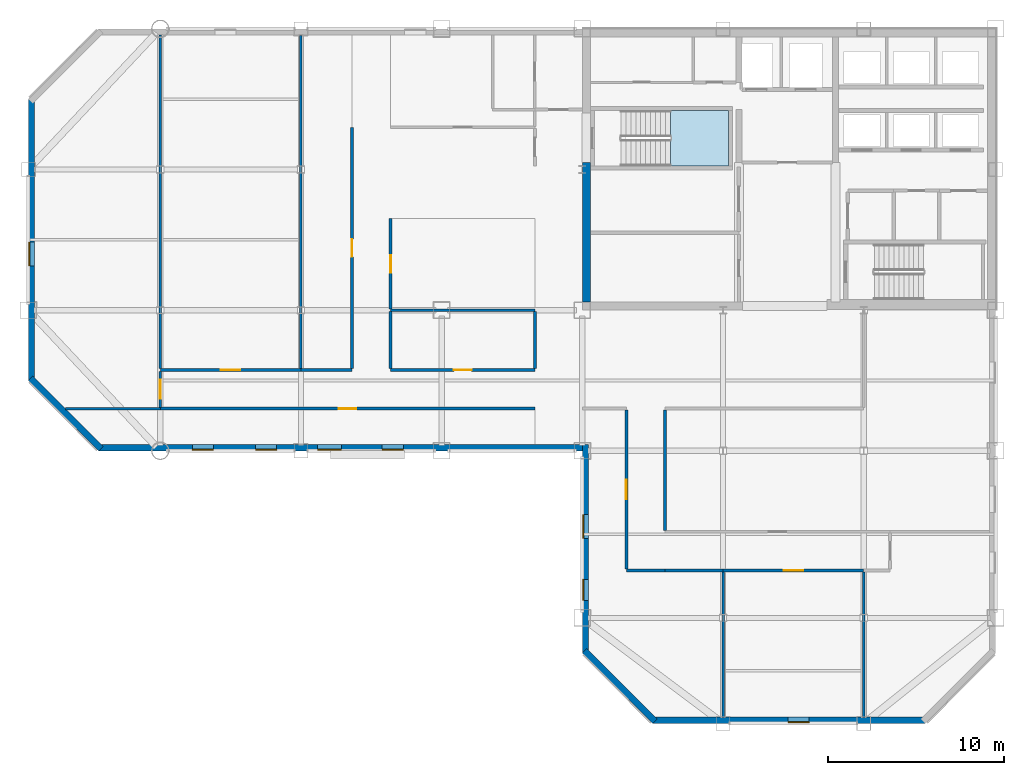
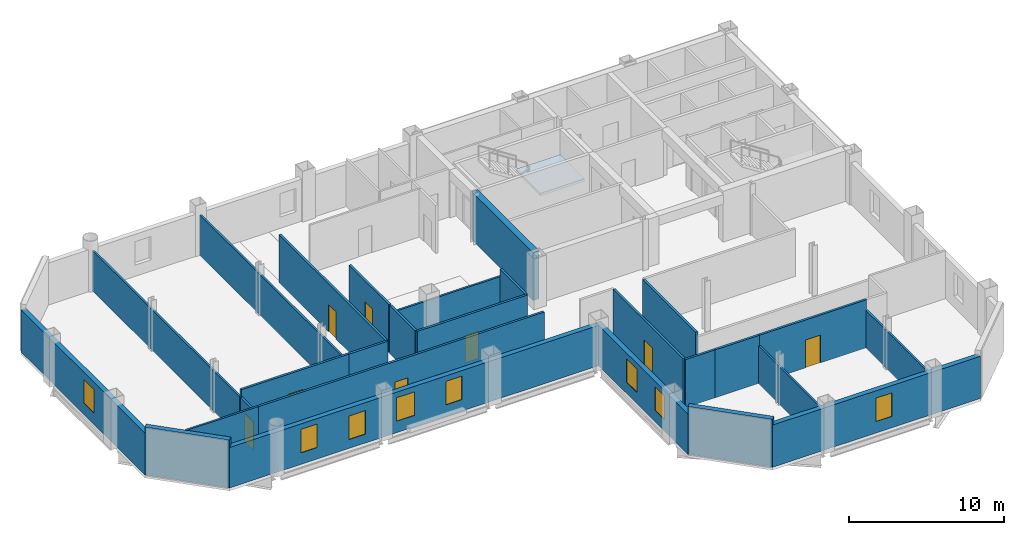
# One storey, part 4 of 10: 27 walls, 8 doors, 8 windows, 1 slab, 16 openings, 1 element without a shape of its own.
"""IFC4 building model written with IfcOpenShell, lengths in metres."""

from ifc_helpers import new_model, si_unit, direction, frame, frame_2d, origin, place, context, subcontext, project, spatial, polyline, rectangle, outline, extrude, material, layer, layer_set, type_object, element, fill, aggregate, save


model = new_model("IFC4")

# Units and contexts
model_context = context("Model", 3, precision=1e-05, world=origin(), true_north=direction((0.0, 1.0)))
body_context = subcontext(model_context, "Body", "Model", "MODEL_VIEW")
ifc_project = project(units=[si_unit("LENGTHUNIT", "METRE"), si_unit("AREAUNIT", "SQUARE_METRE"), si_unit("VOLUMEUNIT", "CUBIC_METRE"), si_unit("PLANEANGLEUNIT", "RADIAN"), si_unit("MASSUNIT", "GRAM", prefix="KILO")], contexts=[model_context])

# Site, building, storey
site_placement = place(None, origin())
site = spatial("IfcSite", under=ifc_project, at=site_placement, CompositionType="ELEMENT")
building_placement = place(site_placement, origin())
building = spatial("IfcBuilding", under=site, at=building_placement, Name="Qianrong Seaharbour Tower", CompositionType="ELEMENT")
storey_placement = place(building_placement, frame((0.0, 0.0, 225.800048828125)))
storey = spatial("IfcBuildingStorey", under=building, at=storey_placement, Name="L54", CompositionType="ELEMENT", Elevation=225.800048828125)

# Stair, slab
ifc_material_1 = material(Name="Concrete C50/60", Category="concrete")
stair_type = type_object("IfcStairType", Name="STAIR-DOGLEG-1500-R22", PredefinedType="HALF_TURN_STAIR", material=ifc_material_1)
stair_placement = place(storey_placement, origin())
stair = element("IfcStair", 1, at=stair_placement, inside=storey, type_object=stair_type, Name="L54 Protected Escape Stair ST-1", PredefinedType="HALF_TURN_STAIR")
ifc_layer_1 = layer(ifc_material_1, 0.199951171875)
ifc_layer_set_1 = layer_set([ifc_layer_1], Name="Concrete C50/60")
slab_type = type_object("IfcSlabType", Name="SLAB-STAIR-LANDING-200", PredefinedType="LANDING", material=ifc_layer_set_1)
slab_placement = place(storey_placement, frame((0.0, 0.0, 1.800048828125)))
slab = element("IfcSlab", 2, at=slab_placement, type_object=slab_type, Name="ST-1 landing 1", PredefinedType="LANDING", context=body_context, shape_type="SweptSolid", body=[
    extrude(outline(polyline([(45.5, 44.199951171875), (48.800048828125, 44.199951171875), (48.800048828125, 47.35009765625), (45.5, 47.35009765625), (45.5, 44.199951171875)])), origin(), (0.0, 0.0, 1.0), 0.199951171875),
])
aggregate(stair, [slab])

# Wall
ifc_material_2 = material(Name="Concrete C60/75", Category="concrete")
ifc_layer_2 = layer(ifc_material_2, 0.4599609375)
ifc_layer_set_2 = layer_set([ifc_layer_2], Name="Concrete C60/75")
wall_type_1 = type_object("IfcWallType", Name="WALL-CORE-460", PredefinedType="SHEAR", material=ifc_layer_set_2)
wall_1_placement = place(storey_placement, frame((40.72998046875, 36.4599609375, 0.0), z_axis=(0.0, 0.0, 1.0), x_axis=(0.0, 1.0, 0.0)))
element("IfcWall", 3, at=wall_1_placement, inside=storey, type_object=wall_type_1, Name="L54 West Core Shear Wall South", PredefinedType="SHEAR", context=body_context, shape_type="SweptSolid", body=[
    extrude(rectangle(XDim=7.93994140625, YDim=0.4599609375, at=frame_2d((3.969970703125, 0.0))), origin(), (0.0, 0.0, 1.0), 3.77490234375),
])

# Wall, opening, door
ifc_material_3 = material(Name="Fire-rated acoustic gypsum board partition")
ifc_layer_3 = layer(ifc_material_3, 0.1650390625)
ifc_layer_set_3 = layer_set([ifc_layer_3], Name="Fire-rated acoustic gypsum board partition")
wall_type_2 = type_object("IfcWallType", Name="WALL-CORR-PART-165", PredefinedType="PARTITIONING", material=ifc_layer_set_3)
wall_2_placement = place(storey_placement, frame((37.800048828125, 30.39990234375, 0.0), z_axis=(0.0, 0.0, 1.0), x_axis=(-1.0, 0.0, 0.0)))
wall_2 = element("IfcWall", 4, at=wall_2_placement, inside=storey, type_object=wall_type_2, Name="L54 Interior Partition Wall 020", PredefinedType="PARTITIONING", context=body_context, shape_type="SweptSolid", body=[
    extrude(rectangle(XDim=21.300048828125, YDim=0.1650390625, at=frame_2d((10.64990234375, 0.0))), origin(), (0.0, 0.0, 1.0), 3.77490234375),
])
opening_1_placement = place(wall_2_placement, frame((10.14990234375, 0.0, 0.0)))
opening_1 = element("IfcOpeningElement", 5, at=opening_1_placement, cuts=wall_2, Name="Opening DO-01", PredefinedType="OPENING", context=body_context, shape_type="SweptSolid", body=[
    extrude(rectangle(XDim=1.0, YDim=2.14990234375, at=frame_2d((0.5, 1.074951171875))), frame((0.0, 0.092529296875, 0.0), z_axis=(0.0, -1.0, 0.0), x_axis=(1.0, 0.0, 0.0)), (0.0, 0.0, 1.0), 0.18505859375),
])
ifc_material_4 = material(Name="Acoustic timber and galvanized steel fire door assembly", Category="steel")
door_type_1 = type_object("IfcDoorType", Name="DOOR-OFFICE-1000x2150", OperationType="NOTDEFINED", PredefinedType="DOOR", material=ifc_material_4)
door_1_placement = place(opening_1_placement, origin())
door_1 = element("IfcDoor", 6, at=door_1_placement, inside=storey, type_object=door_type_1, Name="L54 West Spine Open-Plan Office Door", OperationType="SINGLE_SWING_LEFT", OverallHeight=2.14990234375, OverallWidth=1.0, PredefinedType="DOOR", context=body_context, shape_type="SweptSolid", body=[
    extrude(rectangle(XDim=1.0, YDim=2.14990234375, at=frame_2d((0.5, 1.074951171875))), frame((0.0, 0.02490234375, 0.0), z_axis=(0.0, -1.0, 0.0), x_axis=(1.0, 0.0, 0.0)), (0.0, 0.0, 1.0), 0.050048828125),
])
fill(opening_1, door_1)

wall_3_placement = place(storey_placement, frame((16.5, 30.474609375, 0.0), z_axis=(0.0, 0.0, 1.0), x_axis=(0.0, 1.0, 0.0)))
wall_3 = element("IfcWall", 7, at=wall_3_placement, inside=storey, type_object=wall_type_2, Name="L54 Interior Partition Wall 021", PredefinedType="PARTITIONING", context=body_context, shape_type="SweptSolid", body=[
    extrude(rectangle(XDim=2.05078125, YDim=0.1650390625, at=frame_2d((1.025390625, 0.0))), origin(), (0.0, 0.0, 1.0), 3.178955078125),
])
opening_2_placement = place(wall_3_placement, frame((0.4755859375, 0.0, 0.0)))
opening_2 = element("IfcOpeningElement", 8, at=opening_2_placement, cuts=wall_3, Name="Opening DM-01", PredefinedType="OPENING", context=body_context, shape_type="SweptSolid", body=[
    extrude(rectangle(XDim=1.10009765625, YDim=2.199951171875, at=frame_2d((0.550048828125, 1.10009765625))), frame((0.0, 0.092529296875, 0.0), z_axis=(0.0, -1.0, 0.0), x_axis=(1.0, 0.0, 0.0)), (0.0, 0.0, 1.0), 0.18505859375),
])
door_type_2 = type_object("IfcDoorType", Name="DOOR-MEET-1100x2200", OperationType="NOTDEFINED", PredefinedType="DOOR", material=ifc_material_4)
door_2_placement = place(opening_2_placement, origin())
door_2 = element("IfcDoor", 9, at=door_2_placement, inside=storey, type_object=door_type_2, Name="L54 Boardroom 1 Door", OperationType="SINGLE_SWING_RIGHT", OverallHeight=2.199951171875, OverallWidth=1.10009765625, PredefinedType="DOOR", context=body_context, shape_type="SweptSolid", body=[
    extrude(rectangle(XDim=1.10009765625, YDim=2.199951171875, at=frame_2d((0.550048828125, 1.10009765625))), frame((0.0, 0.02490234375, 0.0), z_axis=(0.0, -1.0, 0.0), x_axis=(1.0, 0.0, 0.0)), (0.0, 0.0, 1.0), 0.050048828125),
])
fill(opening_2, door_2)

wall_4_placement = place(storey_placement, frame((16.5, 32.60009765625, 0.0), z_axis=(0.0, 0.0, 1.0), x_axis=(1.0, 0.0, 0.0)))
wall_4 = element("IfcWall", 10, at=wall_4_placement, inside=storey, type_object=wall_type_2, Name="L54 Interior Partition Wall 022", PredefinedType="PARTITIONING", context=body_context, shape_type="SweptSolid", body=[
    extrude(rectangle(XDim=8.0, YDim=0.1650390625, at=frame_2d((4.0, 0.0))), origin(), (0.0, 0.0, 1.0), 3.77490234375),
])
opening_3_placement = place(wall_4_placement, frame((3.449951171875, 0.0, 0.0)))
opening_3 = element("IfcOpeningElement", 11, at=opening_3_placement, cuts=wall_4, Name="Opening DM-01", PredefinedType="OPENING", context=body_context, shape_type="SweptSolid", body=[
    extrude(rectangle(XDim=1.10009765625, YDim=2.199951171875, at=frame_2d((0.550048828125, 1.10009765625))), frame((0.0, 0.092529296875, 0.0), z_axis=(0.0, -1.0, 0.0), x_axis=(1.0, 0.0, 0.0)), (0.0, 0.0, 1.0), 0.18505859375),
])
door_3_placement = place(opening_3_placement, origin())
door_3 = element("IfcDoor", 12, at=door_3_placement, inside=storey, type_object=door_type_2, Name="L54 Meeting Room 2 Door", OperationType="SINGLE_SWING_LEFT", OverallHeight=2.199951171875, OverallWidth=1.10009765625, PredefinedType="DOOR", context=body_context, shape_type="SweptSolid", body=[
    extrude(rectangle(XDim=1.10009765625, YDim=2.199951171875, at=frame_2d((0.550048828125, 1.10009765625))), frame((0.0, 0.02490234375, 0.0), z_axis=(0.0, -1.0, 0.0), x_axis=(1.0, 0.0, 0.0)), (0.0, 0.0, 1.0), 0.050048828125),
])
fill(opening_3, door_3)

# Wall
wall_5_placement = place(storey_placement, frame((24.5, 32.60009765625, 0.0), z_axis=(0.0, 0.0, 1.0), x_axis=(1.0, 0.0, 0.0)))
element("IfcWall", 13, at=wall_5_placement, inside=storey, type_object=wall_type_2, Name="L54 Interior Partition Wall 023", PredefinedType="PARTITIONING", context=body_context, shape_type="SweptSolid", body=[
    extrude(rectangle(XDim=2.89990234375, YDim=0.1650390625, at=frame_2d((1.449951171875, 0.0))), origin(), (0.0, 0.0, 1.0), 3.77490234375),
])

# Wall, opening, door
wall_6_placement = place(storey_placement, frame((29.60009765625, 32.60009765625, 0.0), z_axis=(0.0, 0.0, 1.0), x_axis=(1.0, 0.0, 0.0)))
wall_6 = element("IfcWall", 14, at=wall_6_placement, inside=storey, type_object=wall_type_2, Name="L54 Interior Partition Wall 024", PredefinedType="PARTITIONING", context=body_context, shape_type="SweptSolid", body=[
    extrude(rectangle(XDim=8.199951171875, YDim=0.1650390625, at=frame_2d((4.10009765625, 0.0))), origin(), (0.0, 0.0, 1.0), 3.77490234375),
])
opening_4_placement = place(wall_6_placement, frame((3.60009765625, 0.0, 0.0)))
opening_4 = element("IfcOpeningElement", 15, at=opening_4_placement, cuts=wall_6, Name="Opening DO-01", PredefinedType="OPENING", context=body_context, shape_type="SweptSolid", body=[
    extrude(rectangle(XDim=1.0, YDim=2.14990234375, at=frame_2d((0.5, 1.074951171875))), frame((0.0, 0.092529296875, 0.0), z_axis=(0.0, -1.0, 0.0), x_axis=(1.0, 0.0, 0.0)), (0.0, 0.0, 1.0), 0.18505859375),
])
door_4_placement = place(opening_4_placement, origin())
door_4 = element("IfcDoor", 16, at=door_4_placement, inside=storey, type_object=door_type_1, Name="L54 Harbour Lecture Hall 1 Door", OperationType="SINGLE_SWING_LEFT", OverallHeight=2.14990234375, OverallWidth=1.0, PredefinedType="DOOR", context=body_context, shape_type="SweptSolid", body=[
    extrude(rectangle(XDim=1.0, YDim=2.14990234375, at=frame_2d((0.5, 1.074951171875))), frame((0.0, 0.02490234375, 0.0), z_axis=(0.0, -1.0, 0.0), x_axis=(1.0, 0.0, 0.0)), (0.0, 0.0, 1.0), 0.050048828125),
])
fill(opening_4, door_4)

wall_7_placement = place(storey_placement, frame((27.39990234375, 32.674560546875, 0.0), z_axis=(0.0, 0.0, 1.0), x_axis=(0.0, 1.0, 0.0)))
wall_7 = element("IfcWall", 17, at=wall_7_placement, inside=storey, type_object=wall_type_2, Name="L54 Interior Partition Wall 025", PredefinedType="PARTITIONING", context=body_context, shape_type="SweptSolid", body=[
    extrude(rectangle(XDim=13.725341796875, YDim=0.1650390625, at=frame_2d((6.86279296875, 0.0))), origin(), (0.0, 0.0, 1.0), 3.77490234375),
])
opening_5_placement = place(wall_7_placement, frame((6.36279296875, 0.0, 0.0)))
opening_5 = element("IfcOpeningElement", 18, at=opening_5_placement, cuts=wall_7, Name="Opening DO-01", PredefinedType="OPENING", context=body_context, shape_type="SweptSolid", body=[
    extrude(rectangle(XDim=1.0, YDim=2.14990234375, at=frame_2d((0.5, 1.074951171875))), frame((0.0, 0.092529296875, 0.0), z_axis=(0.0, -1.0, 0.0), x_axis=(1.0, 0.0, 0.0)), (0.0, 0.0, 1.0), 0.18505859375),
])
door_5_placement = place(opening_5_placement, origin())
door_5 = element("IfcDoor", 19, at=door_5_placement, inside=storey, type_object=door_type_1, Name="L54 Project Library 3 Door", OperationType="SINGLE_SWING_RIGHT", OverallHeight=2.14990234375, OverallWidth=1.0, PredefinedType="DOOR", context=body_context, shape_type="SweptSolid", body=[
    extrude(rectangle(XDim=1.0, YDim=2.14990234375, at=frame_2d((0.5, 1.074951171875))), frame((0.0, 0.02490234375, 0.0), z_axis=(0.0, -1.0, 0.0), x_axis=(1.0, 0.0, 0.0)), (0.0, 0.0, 1.0), 0.050048828125),
])
fill(opening_5, door_5)

# Wall
wall_8_placement = place(storey_placement, frame((29.60009765625, 35.935546875, 0.0), z_axis=(0.0, 0.0, 1.0), x_axis=(0.0, -1.0, 0.0)))
element("IfcWall", 20, at=wall_8_placement, inside=storey, type_object=wall_type_2, Name="L54 Interior Partition Wall 026", PredefinedType="PARTITIONING", context=body_context, shape_type="SweptSolid", body=[
    extrude(rectangle(XDim=3.260986328125, YDim=0.1650390625, at=frame_2d((1.63037109375, 0.0))), origin(), (0.0, 0.0, 1.0), 3.77490234375),
])

# Wall, opening, door
wall_9_placement = place(storey_placement, frame((29.60009765625, 41.199951171875, 0.0), z_axis=(0.0, 0.0, 1.0), x_axis=(0.0, -1.0, 0.0)))
wall_9 = element("IfcWall", 21, at=wall_9_placement, inside=storey, type_object=wall_type_2, Name="L54 Interior Partition Wall 027", PredefinedType="PARTITIONING", context=body_context, shape_type="SweptSolid", body=[
    extrude(rectangle(XDim=5.135498046875, YDim=0.1650390625, at=frame_2d((2.56787109375, 0.0))), origin(), (0.0, 0.0, 1.0), 3.77490234375),
])
opening_6_placement = place(wall_9_placement, frame((2.06787109375, 0.0, 0.0)))
opening_6 = element("IfcOpeningElement", 22, at=opening_6_placement, cuts=wall_9, Name="Opening DO-01", PredefinedType="OPENING", context=body_context, shape_type="SweptSolid", body=[
    extrude(rectangle(XDim=1.0, YDim=2.14990234375, at=frame_2d((0.5, 1.074951171875))), frame((0.0, 0.092529296875, 0.0), z_axis=(0.0, -1.0, 0.0), x_axis=(1.0, 0.0, 0.0)), (0.0, 0.0, 1.0), 0.18505859375),
])
door_6_placement = place(opening_6_placement, origin())
door_6 = element("IfcDoor", 23, at=door_6_placement, inside=storey, type_object=door_type_1, Name="L54 Division Conference Gallery 2 Door", OperationType="SINGLE_SWING_RIGHT", OverallHeight=2.14990234375, OverallWidth=1.0, PredefinedType="DOOR", context=body_context, shape_type="SweptSolid", body=[
    extrude(rectangle(XDim=1.0, YDim=2.14990234375, at=frame_2d((0.5, 1.074951171875))), frame((0.0, 0.02490234375, 0.0), z_axis=(0.0, -1.0, 0.0), x_axis=(1.0, 0.0, 0.0)), (0.0, 0.0, 1.0), 0.050048828125),
])
fill(opening_6, door_6)

# Walls
wall_10_placement = place(storey_placement, frame((37.800048828125, 32.674560546875, 0.0), z_axis=(0.0, 0.0, 1.0), x_axis=(0.0, 1.0, 0.0)))
element("IfcWall", 24, at=wall_10_placement, inside=storey, type_object=wall_type_2, Name="L54 Interior Partition Wall 031", PredefinedType="PARTITIONING", context=body_context, shape_type="SweptSolid", body=[
    extrude(rectangle(XDim=3.260986328125, YDim=0.1650390625, at=frame_2d((1.63037109375, 0.0))), origin(), (0.0, 0.0, 1.0), 3.77490234375),
])
wall_11_placement = place(storey_placement, frame((45.199951171875, 30.325439453125, 0.0), z_axis=(0.0, 0.0, 1.0), x_axis=(0.0, -1.0, 0.0)))
element("IfcWall", 25, at=wall_11_placement, inside=storey, type_object=wall_type_2, Name="L54 Interior Partition Wall 033", PredefinedType="PARTITIONING", context=body_context, shape_type="SweptSolid", body=[
    extrude(rectangle(XDim=6.850830078125, YDim=0.1650390625, at=frame_2d((3.42529296875, 0.0))), origin(), (0.0, 0.0, 1.0), 3.77490234375),
])
wall_12_placement = place(storey_placement, frame((45.199951171875, 21.199951171875, 0.0), z_axis=(0.0, 0.0, 1.0), x_axis=(-1.0, 0.0, 0.0)))
element("IfcWall", 26, at=wall_12_placement, inside=storey, type_object=wall_type_2, Name="L54 Interior Partition Wall 034", PredefinedType="PARTITIONING", context=body_context, shape_type="SweptSolid", body=[
    extrude(rectangle(XDim=2.199951171875, YDim=0.1650390625, at=frame_2d((1.10009765625, 0.0))), origin(), (0.0, 0.0, 1.0), 3.77490234375),
])

# Wall, opening, door
wall_13_placement = place(storey_placement, frame((43.0, 21.2744140625, 0.0), z_axis=(0.0, 0.0, 1.0), x_axis=(0.0, 1.0, 0.0)))
wall_13 = element("IfcWall", 27, at=wall_13_placement, inside=storey, type_object=wall_type_2, Name="L54 Interior Partition Wall 035", PredefinedType="PARTITIONING", context=body_context, shape_type="SweptSolid", body=[
    extrude(rectangle(XDim=9.051025390625, YDim=0.1650390625, at=frame_2d((4.525390625, 0.0))), origin(), (0.0, 0.0, 1.0), 3.77490234375),
])
opening_7_placement = place(wall_13_placement, frame((3.9755859375, 0.0, 0.0)))
opening_7 = element("IfcOpeningElement", 28, at=opening_7_placement, cuts=wall_13, Name="Opening DM-01", PredefinedType="OPENING", context=body_context, shape_type="SweptSolid", body=[
    extrude(rectangle(XDim=1.10009765625, YDim=2.199951171875, at=frame_2d((0.550048828125, 1.10009765625))), frame((0.0, 0.092529296875, 0.0), z_axis=(0.0, -1.0, 0.0), x_axis=(1.0, 0.0, 0.0)), (0.0, 0.0, 1.0), 0.18505859375),
])
door_7_placement = place(opening_7_placement, origin())
door_7 = element("IfcDoor", 29, at=door_7_placement, inside=storey, type_object=door_type_2, Name="L54 Maritime Seminar Room 1 Door", OperationType="SINGLE_SWING_RIGHT", OverallHeight=2.199951171875, OverallWidth=1.10009765625, PredefinedType="DOOR", context=body_context, shape_type="SweptSolid", body=[
    extrude(rectangle(XDim=1.10009765625, YDim=2.199951171875, at=frame_2d((0.550048828125, 1.10009765625))), frame((0.0, 0.02490234375, 0.0), z_axis=(0.0, -1.0, 0.0), x_axis=(1.0, 0.0, 0.0)), (0.0, 0.0, 1.0), 0.050048828125),
])
fill(opening_7, door_7)

# Wall
wall_14_placement = place(storey_placement, frame((48.5, 21.199951171875, 0.0), z_axis=(0.0, 0.0, 1.0), x_axis=(-1.0, 0.0, 0.0)))
element("IfcWall", 30, at=wall_14_placement, inside=storey, type_object=wall_type_2, Name="L54 Interior Partition Wall 037", PredefinedType="PARTITIONING", context=body_context, shape_type="SweptSolid", body=[
    extrude(rectangle(XDim=3.300048828125, YDim=0.1650390625, at=frame_2d((1.64990234375, 0.0))), origin(), (0.0, 0.0, 1.0), 3.77490234375),
])

# Wall, opening, door
wall_15_placement = place(storey_placement, frame((56.5, 21.199951171875, 0.0), z_axis=(0.0, 0.0, 1.0), x_axis=(-1.0, 0.0, 0.0)))
wall_15 = element("IfcWall", 31, at=wall_15_placement, inside=storey, type_object=wall_type_2, Name="L54 Interior Partition Wall 038", PredefinedType="PARTITIONING", context=body_context, shape_type="SweptSolid", body=[
    extrude(rectangle(XDim=8.0, YDim=0.1650390625, at=frame_2d((4.0, 0.0))), origin(), (0.0, 0.0, 1.0), 3.77490234375),
])
opening_8_placement = place(wall_15_placement, frame((3.449951171875, 0.0, 0.0)))
opening_8 = element("IfcOpeningElement", 32, at=opening_8_placement, cuts=wall_15, Name="Opening DM-01", PredefinedType="OPENING", context=body_context, shape_type="SweptSolid", body=[
    extrude(rectangle(XDim=1.10009765625, YDim=2.199951171875, at=frame_2d((0.550048828125, 1.10009765625))), frame((0.0, 0.092529296875, 0.0), z_axis=(0.0, -1.0, 0.0), x_axis=(1.0, 0.0, 0.0)), (0.0, 0.0, 1.0), 0.18505859375),
])
door_8_placement = place(opening_8_placement, origin())
door_8 = element("IfcDoor", 33, at=door_8_placement, inside=storey, type_object=door_type_2, Name="L54 Meeting Room 2 Door", OperationType="SINGLE_SWING_LEFT", OverallHeight=2.199951171875, OverallWidth=1.10009765625, PredefinedType="DOOR", context=body_context, shape_type="SweptSolid", body=[
    extrude(rectangle(XDim=1.10009765625, YDim=2.199951171875, at=frame_2d((0.550048828125, 1.10009765625))), frame((0.0, 0.02490234375, 0.0), z_axis=(0.0, -1.0, 0.0), x_axis=(1.0, 0.0, 0.0)), (0.0, 0.0, 1.0), 0.050048828125),
])
fill(opening_8, door_8)

# Wall, openings, windows
ifc_material_5 = material(Name="Unitised red brick on Precast concrete C45/55", Category="masonry")
ifc_layer_4 = layer(ifc_material_5, 0.360107421875)
ifc_layer_set_4 = layer_set([ifc_layer_4], Name="Unitised red brick on Precast concrete C45/55")
wall_type_3 = type_object("IfcWallType", Name="WALL-EXT-BRICK-RED-360", PredefinedType="SOLIDWALL", material=ifc_layer_set_4)
wall_16_placement = place(storey_placement, frame((40.679931640625, 16.5, 0.0), z_axis=(0.0, 0.0, 1.0), x_axis=(0.0, 1.0, 0.0)))
wall_16 = element("IfcWall", 34, at=wall_16_placement, inside=storey, type_object=wall_type_3, Name="L54 Exterior Masonry Facade Wall REENTRANT_WEST", PredefinedType="SOLIDWALL", context=body_context, shape_type="SweptSolid", body=[
    extrude(rectangle(XDim=11.860107421875, YDim=0.360107421875, at=frame_2d((5.93017578125, 0.0))), origin(), (0.0, 0.0, 1.0), 3.18701171875),
])
opening_9_placement = place(wall_16_placement, frame((3.0, 0.0, 0.89990234375)))
opening_9 = element("IfcOpeningElement", 35, at=opening_9_placement, cuts=wall_16, Name="Opening WN-01", PredefinedType="OPENING", context=body_context, shape_type="SweptSolid", body=[
    extrude(rectangle(XDim=1.199951171875, YDim=1.85009765625, at=frame_2d((0.60009765625, 0.925048828125))), frame((0.0, 0.18994140625, 0.0), z_axis=(0.0, -1.0, 0.0), x_axis=(1.0, 0.0, 0.0)), (0.0, 0.0, 1.0), 0.380126953125),
])
opening_10_placement = place(wall_16_placement, frame((6.52490234375, 0.0, 0.89990234375)))
opening_10 = element("IfcOpeningElement", 36, at=opening_10_placement, cuts=wall_16, Name="Opening WN-02", PredefinedType="OPENING", context=body_context, shape_type="SweptSolid", body=[
    extrude(rectangle(XDim=1.35009765625, YDim=1.85009765625, at=frame_2d((0.675048828125, 0.925048828125))), frame((0.0, 0.18994140625, 0.0), z_axis=(0.0, -1.0, 0.0), x_axis=(1.0, 0.0, 0.0)), (0.0, 0.0, 1.0), 0.380126953125),
])
ifc_material_6 = material(Name="Insulated low-e double glazing in thermally broken aluminium 6063-T6 frame", Category="aluminium")
window_type_1 = type_object("IfcWindowType", Name="WIN-PUNCH-1200x1850", PartitioningType="DOUBLE_PANEL_VERTICAL", PredefinedType="WINDOW", material=ifc_material_6)
window_1_placement = place(opening_9_placement, origin())
window_1 = element("IfcWindow", 37, at=window_1_placement, inside=storey, type_object=window_type_1, Name="L54 Deep-Set Punched Window 00.01", OverallHeight=1.85009765625, OverallWidth=1.199951171875, PartitioningType="DOUBLE_PANEL_VERTICAL", PredefinedType="WINDOW", context=body_context, shape_type="SweptSolid", body=[
    extrude(rectangle(XDim=1.199951171875, YDim=1.85009765625, at=frame_2d((0.60009765625, 0.925048828125))), frame((0.0, 0.150146484375, 0.0), z_axis=(0.0, -1.0, 0.0), x_axis=(1.0, 0.0, 0.0)), (0.0, 0.0, 1.0), 0.06005859375),
])
fill(opening_9, window_1)
window_type_2 = type_object("IfcWindowType", Name="WIN-PUNCH-1350x1850", PartitioningType="DOUBLE_PANEL_VERTICAL", PredefinedType="WINDOW", material=ifc_material_6)
window_2_placement = place(opening_10_placement, origin())
window_2 = element("IfcWindow", 38, at=window_2_placement, inside=storey, type_object=window_type_2, Name="L54 Deep-Set Punched Window 00.02", OverallHeight=1.85009765625, OverallWidth=1.35009765625, PartitioningType="DOUBLE_PANEL_VERTICAL", PredefinedType="WINDOW", context=body_context, shape_type="SweptSolid", body=[
    extrude(rectangle(XDim=1.35009765625, YDim=1.85009765625, at=frame_2d((0.675048828125, 0.925048828125))), frame((0.0, 0.150146484375, 0.0), z_axis=(0.0, -1.0, 0.0), x_axis=(1.0, 0.0, 0.0)), (0.0, 0.0, 1.0), 0.06005859375),
])
fill(opening_10, window_2)

wall_17_placement = place(storey_placement, frame((40.52001953125, 28.179931640625, 0.0), z_axis=(0.0, 0.0, 1.0), x_axis=(-1.0, 0.0, 0.0)))
wall_17 = element("IfcWall", 39, at=wall_17_placement, inside=storey, type_object=wall_type_3, Name="L54 Exterior Masonry Facade Wall HARBOUR_RIBBON", PredefinedType="SOLIDWALL", context=body_context, shape_type="SweptSolid", body=[
    extrude(rectangle(XDim=27.52001953125, YDim=0.360107421875, at=frame_2d((13.760009765625, 0.0))), origin(), (0.0, 0.0, 1.0), 3.18701171875),
])
opening_11_placement = place(wall_17_placement, frame((10.199951171875, 0.0, 0.89990234375)))
opening_11 = element("IfcOpeningElement", 40, at=opening_11_placement, cuts=wall_17, Name="Opening WN-01", PredefinedType="OPENING", context=body_context, shape_type="SweptSolid", body=[
    extrude(rectangle(XDim=1.199951171875, YDim=1.85009765625, at=frame_2d((0.60009765625, 0.925048828125))), frame((0.0, 0.18994140625, 0.0), z_axis=(0.0, -1.0, 0.0), x_axis=(1.0, 0.0, 0.0)), (0.0, 0.0, 1.0), 0.380126953125),
])
opening_12_placement = place(wall_17_placement, frame((13.72509765625, 0.0, 0.89990234375)))
opening_12 = element("IfcOpeningElement", 41, at=opening_12_placement, cuts=wall_17, Name="Opening WN-02", PredefinedType="OPENING", context=body_context, shape_type="SweptSolid", body=[
    extrude(rectangle(XDim=1.35009765625, YDim=1.85009765625, at=frame_2d((0.675048828125, 0.925048828125))), frame((0.0, 0.18994140625, 0.0), z_axis=(0.0, -1.0, 0.0), x_axis=(1.0, 0.0, 0.0)), (0.0, 0.0, 1.0), 0.380126953125),
])
opening_13_placement = place(wall_17_placement, frame((17.39990234375, 0.0, 0.699951171875)))
opening_13 = element("IfcOpeningElement", 42, at=opening_13_placement, cuts=wall_17, Name="Opening WN-01", PredefinedType="OPENING", context=body_context, shape_type="SweptSolid", body=[
    extrude(rectangle(XDim=1.199951171875, YDim=1.85009765625, at=frame_2d((0.60009765625, 0.925048828125))), frame((0.0, 0.18994140625, 0.0), z_axis=(0.0, -1.0, 0.0), x_axis=(1.0, 0.0, 0.0)), (0.0, 0.0, 1.0), 0.380126953125),
])
opening_14_placement = place(wall_17_placement, frame((21.0, 0.0, 0.89990234375)))
opening_14 = element("IfcOpeningElement", 43, at=opening_14_placement, cuts=wall_17, Name="Opening WN-01", PredefinedType="OPENING", context=body_context, shape_type="SweptSolid", body=[
    extrude(rectangle(XDim=1.199951171875, YDim=1.85009765625, at=frame_2d((0.60009765625, 0.925048828125))), frame((0.0, 0.18994140625, 0.0), z_axis=(0.0, -1.0, 0.0), x_axis=(1.0, 0.0, 0.0)), (0.0, 0.0, 1.0), 0.380126953125),
])
window_3_placement = place(opening_11_placement, origin())
window_3 = element("IfcWindow", 44, at=window_3_placement, inside=storey, type_object=window_type_1, Name="L54 Deep-Set Punched Window 01.03", OverallHeight=1.85009765625, OverallWidth=1.199951171875, PartitioningType="DOUBLE_PANEL_VERTICAL", PredefinedType="WINDOW", context=body_context, shape_type="SweptSolid", body=[
    extrude(rectangle(XDim=1.199951171875, YDim=1.85009765625, at=frame_2d((0.60009765625, 0.925048828125))), frame((0.0, 0.150146484375, 0.0), z_axis=(0.0, -1.0, 0.0), x_axis=(1.0, 0.0, 0.0)), (0.0, 0.0, 1.0), 0.06005859375),
])
fill(opening_11, window_3)
window_4_placement = place(opening_13_placement, origin())
window_4 = element("IfcWindow", 45, at=window_4_placement, inside=storey, type_object=window_type_1, Name="L54 Deep-Set Punched Window 01.05", OverallHeight=1.85009765625, OverallWidth=1.199951171875, PartitioningType="DOUBLE_PANEL_VERTICAL", PredefinedType="WINDOW", context=body_context, shape_type="SweptSolid", body=[
    extrude(rectangle(XDim=1.199951171875, YDim=1.85009765625, at=frame_2d((0.60009765625, 0.925048828125))), frame((0.0, 0.150146484375, 0.0), z_axis=(0.0, -1.0, 0.0), x_axis=(1.0, 0.0, 0.0)), (0.0, 0.0, 1.0), 0.06005859375),
])
fill(opening_13, window_4)
window_5_placement = place(opening_14_placement, origin())
window_5 = element("IfcWindow", 46, at=window_5_placement, inside=storey, type_object=window_type_1, Name="L54 Deep-Set Punched Window 01.06", OverallHeight=1.85009765625, OverallWidth=1.199951171875, PartitioningType="DOUBLE_PANEL_VERTICAL", PredefinedType="WINDOW", context=body_context, shape_type="SweptSolid", body=[
    extrude(rectangle(XDim=1.199951171875, YDim=1.85009765625, at=frame_2d((0.60009765625, 0.925048828125))), frame((0.0, 0.150146484375, 0.0), z_axis=(0.0, -1.0, 0.0), x_axis=(1.0, 0.0, 0.0)), (0.0, 0.0, 1.0), 0.06005859375),
])
fill(opening_14, window_5)
window_6_placement = place(opening_12_placement, origin())
window_6 = element("IfcWindow", 47, at=window_6_placement, inside=storey, type_object=window_type_2, Name="L54 Deep-Set Punched Window 01.04", OverallHeight=1.85009765625, OverallWidth=1.35009765625, PartitioningType="DOUBLE_PANEL_VERTICAL", PredefinedType="WINDOW", context=body_context, shape_type="SweptSolid", body=[
    extrude(rectangle(XDim=1.35009765625, YDim=1.85009765625, at=frame_2d((0.675048828125, 0.925048828125))), frame((0.0, 0.150146484375, 0.0), z_axis=(0.0, -1.0, 0.0), x_axis=(1.0, 0.0, 0.0)), (0.0, 0.0, 1.0), 0.06005859375),
])
fill(opening_12, window_6)

# Wall
wall_18_placement = place(storey_placement, frame((13.127197265625, 28.127197265625, 0.0), z_axis=(0.0, 0.0, 1.0), x_axis=(-0.707106781187, 0.707106781187, 0.0)))
element("IfcWall", 48, at=wall_18_placement, inside=storey, type_object=wall_type_3, Name="L54 Exterior Masonry Facade Wall E02", PredefinedType="SOLIDWALL", context=body_context, shape_type="SweptSolid", body=[
    extrude(rectangle(XDim=5.65673828125, YDim=0.360107421875, at=frame_2d((2.828369140625, 0.0))), origin(), (0.0, 0.0, 1.0), 3.77490234375),
])

# Wall, opening, window
wall_19_placement = place(storey_placement, frame((9.179931640625, 32.0, 0.0), z_axis=(0.0, 0.0, 1.0), x_axis=(0.0, 1.0, 0.0)))
wall_19 = element("IfcWall", 49, at=wall_19_placement, inside=storey, type_object=wall_type_3, Name="L54 Exterior Masonry Facade Wall WEST_TIP", PredefinedType="SOLIDWALL", context=body_context, shape_type="SweptSolid", body=[
    extrude(rectangle(XDim=16.0, YDim=0.360107421875, at=frame_2d((8.0, 0.0))), origin(), (0.0, 0.0, 1.0), 3.324951171875),
])
opening_15_placement = place(wall_19_placement, frame((6.52490234375, 0.0, 0.89990234375)))
opening_15 = element("IfcOpeningElement", 50, at=opening_15_placement, cuts=wall_19, Name="Opening WN-02", PredefinedType="OPENING", context=body_context, shape_type="SweptSolid", body=[
    extrude(rectangle(XDim=1.35009765625, YDim=1.85009765625, at=frame_2d((0.675048828125, 0.925048828125))), frame((0.0, 0.18994140625, 0.0), z_axis=(0.0, -1.0, 0.0), x_axis=(1.0, 0.0, 0.0)), (0.0, 0.0, 1.0), 0.380126953125),
])
window_7_placement = place(opening_15_placement, origin())
window_7 = element("IfcWindow", 51, at=window_7_placement, inside=storey, type_object=window_type_2, Name="L54 Deep-Set Punched Window 03.02", OverallHeight=1.85009765625, OverallWidth=1.35009765625, PartitioningType="DOUBLE_PANEL_VERTICAL", PredefinedType="WINDOW", context=body_context, shape_type="SweptSolid", body=[
    extrude(rectangle(XDim=1.35009765625, YDim=1.85009765625, at=frame_2d((0.675048828125, 0.925048828125))), frame((0.0, 0.150146484375, 0.0), z_axis=(0.0, -1.0, 0.0), x_axis=(1.0, 0.0, 0.0)), (0.0, 0.0, 1.0), 0.06005859375),
])
fill(opening_15, window_7)

wall_20_placement = place(storey_placement, frame((60.0, 12.679931640625, 0.0), z_axis=(0.0, 0.0, 1.0), x_axis=(-1.0, 0.0, 0.0)))
wall_20 = element("IfcWall", 52, at=wall_20_placement, inside=storey, type_object=wall_type_3, Name="L54 Exterior Masonry Facade Wall SOUTH_TIP", PredefinedType="SOLIDWALL", context=body_context, shape_type="SweptSolid", body=[
    extrude(rectangle(XDim=15.5, YDim=0.360107421875, at=frame_2d((7.75, 0.0))), origin(), (0.0, 0.0, 1.0), 3.324951171875),
])
opening_16_placement = place(wall_20_placement, frame((6.60009765625, 0.0, 0.89990234375)))
opening_16 = element("IfcOpeningElement", 53, at=opening_16_placement, cuts=wall_20, Name="Opening WN-01", PredefinedType="OPENING", context=body_context, shape_type="SweptSolid", body=[
    extrude(rectangle(XDim=1.199951171875, YDim=1.85009765625, at=frame_2d((0.60009765625, 0.925048828125))), frame((0.0, 0.18994140625, 0.0), z_axis=(0.0, -1.0, 0.0), x_axis=(1.0, 0.0, 0.0)), (0.0, 0.0, 1.0), 0.380126953125),
])
window_8_placement = place(opening_16_placement, origin())
window_8 = element("IfcWindow", 54, at=window_8_placement, inside=storey, type_object=window_type_1, Name="L54 Deep-Set Punched Window 08.02", OverallHeight=1.85009765625, OverallWidth=1.199951171875, PartitioningType="DOUBLE_PANEL_VERTICAL", PredefinedType="WINDOW", context=body_context, shape_type="SweptSolid", body=[
    extrude(rectangle(XDim=1.199951171875, YDim=1.85009765625, at=frame_2d((0.60009765625, 0.925048828125))), frame((0.0, 0.150146484375, 0.0), z_axis=(0.0, -1.0, 0.0), x_axis=(1.0, 0.0, 0.0)), (0.0, 0.0, 1.0), 0.06005859375),
])
fill(opening_16, window_8)

# Walls
wall_21_placement = place(storey_placement, frame((44.627197265625, 12.627197265625, 0.0), z_axis=(0.0, 0.0, 1.0), x_axis=(-0.707106781187, 0.707106781187, 0.0)))
element("IfcWall", 55, at=wall_21_placement, inside=storey, type_object=wall_type_3, Name="L54 Exterior Masonry Facade Wall E09", PredefinedType="SOLIDWALL", context=body_context, shape_type="SweptSolid", body=[
    extrude(rectangle(XDim=5.65673828125, YDim=0.360107421875, at=frame_2d((2.828369140625, 0.0))), origin(), (0.0, 0.0, 1.0), 3.77490234375),
])
ifc_material_7 = material(Name="Acoustic gypsum board stud partition")
ifc_layer_5 = layer(ifc_material_7, 0.14501953125)
ifc_layer_set_5 = layer_set([ifc_layer_5], Name="Acoustic gypsum board stud partition")
wall_type_4 = type_object("IfcWallType", Name="WALL-OFFICE-PART-145", PredefinedType="PARTITIONING", material=ifc_layer_set_5)
wall_22_placement = place(storey_placement, frame((11.097900390625, 30.39990234375, 0.0), z_axis=(0.0, 0.0, 1.0), x_axis=(1.0, 0.0, 0.0)))
element("IfcWall", 56, at=wall_22_placement, inside=storey, type_object=wall_type_4, Name="L54 Interior Partition Wall 042", PredefinedType="PARTITIONING", context=body_context, shape_type="SweptSolid", body=[
    extrude(rectangle(XDim=5.402099609375, YDim=0.14501953125, at=frame_2d((2.701171875, 0.0))), origin(), (0.0, 0.0, 1.0), 3.77490234375),
])
for number, where, z_axis, x_axis, name in (
    (57, (16.5, 51.64794921875, 0.0), (0.0, 0.0, 1.0), (0.0, -1.0, 0.0), "L54 Interior Partition Wall 043"),
    (58, (24.5, 51.64794921875, 0.0), (0.0, 0.0, 1.0), (0.0, -1.0, 0.0), "L54 Interior Partition Wall 044"),
):
    element("IfcWall", number, at=place(storey_placement, frame(where, z_axis=z_axis, x_axis=x_axis)), inside=storey, type_object=wall_type_4, Name=name, PredefinedType="PARTITIONING", context=body_context, shape_type="SweptSolid", body=[
        extrude(rectangle(XDim=18.973388671875, YDim=0.14501953125, at=frame_2d((9.48681640625, 0.0))), origin(), (0.0, 0.0, 1.0), 3.178955078125),
    ])
wall_23_placement = place(storey_placement, frame((29.60009765625, 36.0, 0.0), z_axis=(0.0, 0.0, 1.0), x_axis=(1.0, 0.0, 0.0)))
element("IfcWall", 59, at=wall_23_placement, inside=storey, type_object=wall_type_4, Name="L54 Interior Partition Wall 045", PredefinedType="PARTITIONING", context=body_context, shape_type="SweptSolid", body=[
    extrude(rectangle(XDim=8.199951171875, YDim=0.14501953125, at=frame_2d((4.10009765625, 0.0))), origin(), (0.0, 0.0, 1.0), 3.178955078125),
])
for number, where, z_axis, x_axis, name in (
    (60, (48.5, 21.12548828125, 0.0), (0.0, 0.0, 1.0), (0.0, -1.0, 0.0), "L54 Interior Partition Wall 046"),
    (61, (56.5, 21.12548828125, 0.0), (0.0, 0.0, 1.0), (0.0, -1.0, 0.0), "L54 Interior Partition Wall 047"),
):
    element("IfcWall", number, at=place(storey_placement, frame(where, z_axis=z_axis, x_axis=x_axis)), inside=storey, type_object=wall_type_4, Name=name, PredefinedType="PARTITIONING", context=body_context, shape_type="SweptSolid", body=[
        extrude(rectangle(XDim=8.2734375, YDim=0.14501953125, at=frame_2d((4.13671875, 0.0))), origin(), (0.0, 0.0, 1.0), 2.967041015625),
    ])

save(model, "model.ifc")
